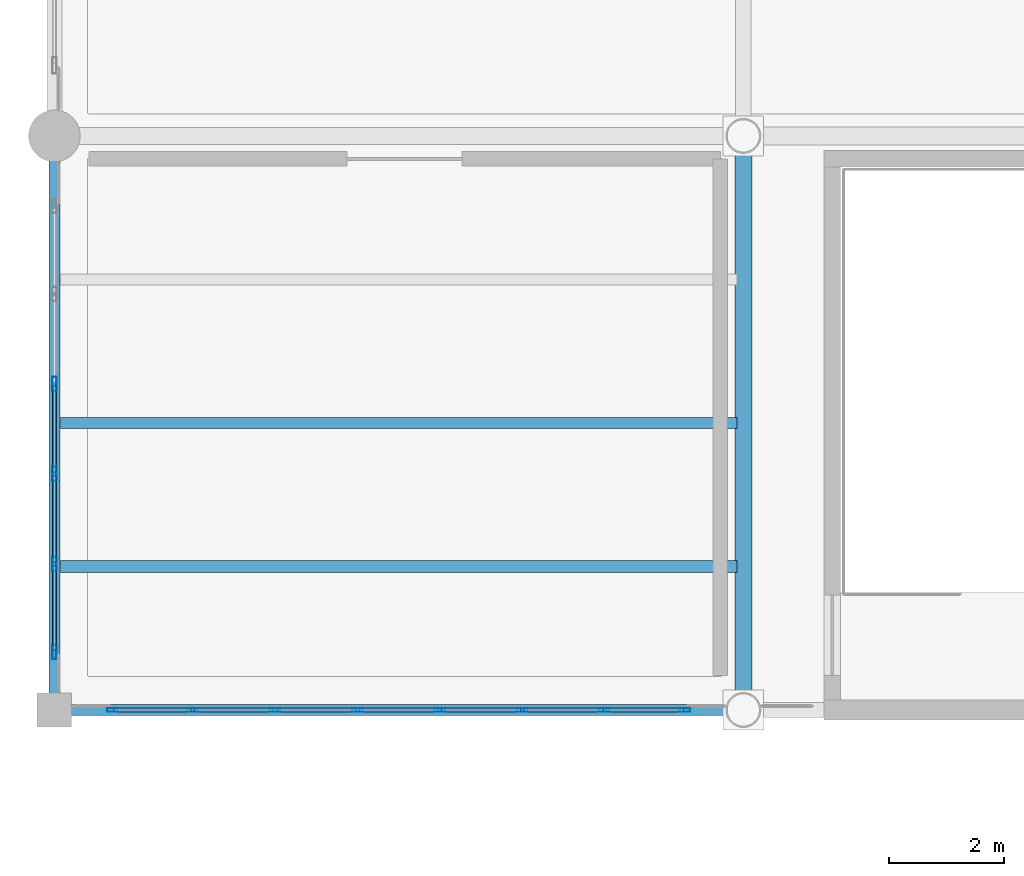
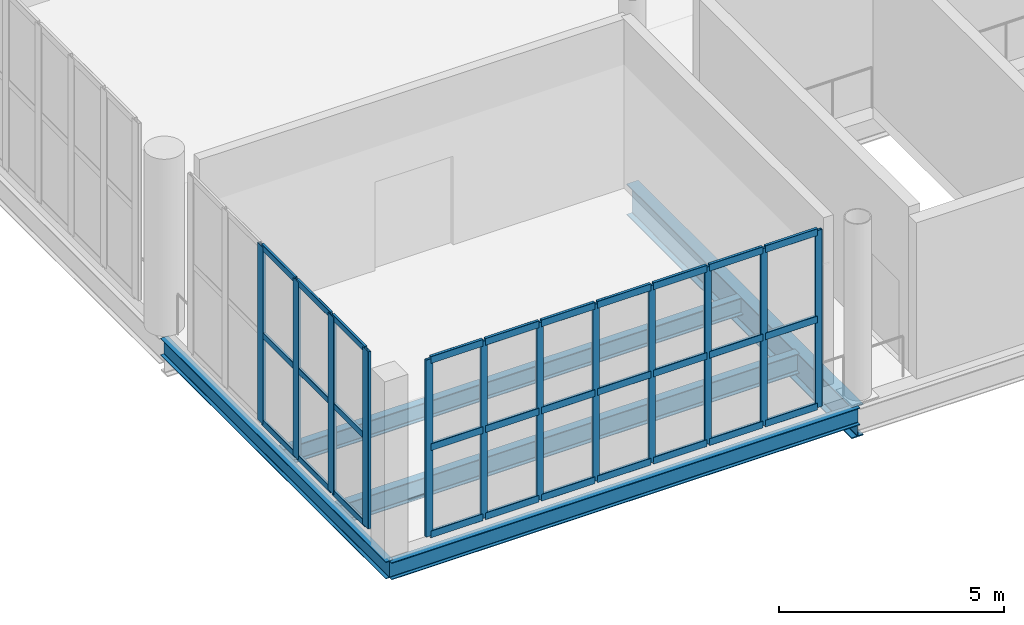
# One storey, part 7 of 49: 42 members, 5 beams, 2 elements without a shape of their own.
"""IFC4 building model written with IfcOpenShell, lengths in metres."""

from ifc_helpers import new_model, si_unit, direction, frame, origin, origin_2d, place, context, subcontext, project, spatial, hollow_rectangle, i_section, extrude, material, layer, layer_set, material_profile, profile_set, type_object, element, aggregate, save


model = new_model("IFC4")

# Units and contexts
model_context = context("Model", 3, precision=1e-05, world=origin(), true_north=direction((0.0, 1.0)))
body_context = subcontext(model_context, "Body", "Model", "MODEL_VIEW")
ifc_project = project(units=[si_unit("LENGTHUNIT", "METRE"), si_unit("AREAUNIT", "SQUARE_METRE"), si_unit("VOLUMEUNIT", "CUBIC_METRE"), si_unit("PLANEANGLEUNIT", "RADIAN"), si_unit("MASSUNIT", "GRAM", prefix="KILO")], contexts=[model_context])

# Site, building, storey
site_placement = place(None, origin())
site = spatial("IfcSite", under=ifc_project, at=site_placement, CompositionType="ELEMENT")
building_placement = place(site_placement, origin())
building = spatial("IfcBuilding", under=site, at=building_placement, Name="Brinegate Civic Arena", CompositionType="ELEMENT")
storey_placement = place(building_placement, frame((0.0, 0.0, 24.60009765625)))
storey = spatial("IfcBuildingStorey", under=building, at=storey_placement, Name="L05", CompositionType="ELEMENT", Elevation=24.60009765625)

# Curtain wall, members
ifc_material_1 = material(Name="Marine grade aluminium", Category="aluminium")
ifc_layer = layer(ifc_material_1, 0.199951171875, Name="Marine grade aluminium")
ifc_layer_set = layer_set([ifc_layer], Name="Marine grade aluminium")
curtain_wall_type = type_object("IfcCurtainWallType", Name="CW-BOWL-GLAZED-01", PredefinedType="USERDEFINED", material=ifc_layer_set)
curtain_wall_1_placement = place(storey_placement, origin())
curtain_wall_1 = element("IfcCurtainWall", 1, at=curtain_wall_1_placement, inside=storey, type_object=curtain_wall_type, Name="Curtain Wall CWA-164", ObjectType="GLAZED CURTAIN WALL", PredefinedType="USERDEFINED")
ifc_material_profile_1 = material_profile(ifc_material_1, hollow_rectangle(XDim=0.06494140625, YDim=0.179931640625, WallThickness=0.0048828125, InnerFilletRadius=0.00390625, OuterFilletRadius=0.008056640625, at=origin_2d()), Name="MUL65X180")
ifc_profile_set_1 = profile_set([ifc_material_profile_1], Name="Marine grade aluminium")
member_type_1 = type_object("IfcMemberType", Name="CW-MULLION-65X180", PredefinedType="MULLION", material=ifc_profile_set_1)
member_1_placement = place(storey_placement, frame((49.006591796875, 10.0, 0.0), z_axis=(0.0, 0.0, 1.0), x_axis=(0.0, 1.0, 0.0)))
member_1 = element("IfcMember", 2, at=member_1_placement, type_object=member_type_1, Name="CWA-164 mullion 1", PredefinedType="MULLION", context=body_context, shape_type="SweptSolid", body=[
    extrude(hollow_rectangle(XDim=0.06494140625, YDim=0.179931640625, WallThickness=0.0048828125, InnerFilletRadius=0.00390625, OuterFilletRadius=0.008056640625, at=origin_2d()), origin(), (0.0, 0.0, 1.0), 4.7998046875),
])
member_2_placement = place(storey_placement, frame((50.408935546875, 10.0, 0.0), z_axis=(0.0, 0.0, 1.0), x_axis=(0.0, 1.0, 0.0)))
member_2 = element("IfcMember", 3, at=member_2_placement, type_object=member_type_1, Name="CWA-164 mullion 2", PredefinedType="MULLION", context=body_context, shape_type="SweptSolid", body=[
    extrude(hollow_rectangle(XDim=0.06494140625, YDim=0.179931640625, WallThickness=0.0048828125, InnerFilletRadius=0.00390625, OuterFilletRadius=0.008056640625, at=origin_2d()), origin(), (0.0, 0.0, 1.0), 4.7998046875),
])
member_3_placement = place(storey_placement, frame((51.843994140625, 10.0, 0.0), z_axis=(0.0, 0.0, 1.0), x_axis=(0.0, 1.0, 0.0)))
member_3 = element("IfcMember", 4, at=member_3_placement, type_object=member_type_1, Name="CWA-164 mullion 3", PredefinedType="MULLION", context=body_context, shape_type="SweptSolid", body=[
    extrude(hollow_rectangle(XDim=0.06494140625, YDim=0.179931640625, WallThickness=0.0048828125, InnerFilletRadius=0.00390625, OuterFilletRadius=0.008056640625, at=origin_2d()), origin(), (0.0, 0.0, 1.0), 4.7998046875),
])
member_4_placement = place(storey_placement, frame((53.279052734375, 10.0, 0.0), z_axis=(0.0, 0.0, 1.0), x_axis=(0.0, 1.0, 0.0)))
member_4 = element("IfcMember", 5, at=member_4_placement, type_object=member_type_1, Name="CWA-164 mullion 4", PredefinedType="MULLION", context=body_context, shape_type="SweptSolid", body=[
    extrude(hollow_rectangle(XDim=0.06494140625, YDim=0.179931640625, WallThickness=0.0048828125, InnerFilletRadius=0.00390625, OuterFilletRadius=0.008056640625, at=origin_2d()), origin(), (0.0, 0.0, 1.0), 4.7998046875),
])
member_5_placement = place(storey_placement, frame((54.714111328125, 10.0, 0.0), z_axis=(0.0, 0.0, 1.0), x_axis=(0.0, 1.0, 0.0)))
member_5 = element("IfcMember", 6, at=member_5_placement, type_object=member_type_1, Name="CWA-164 mullion 5", PredefinedType="MULLION", context=body_context, shape_type="SweptSolid", body=[
    extrude(hollow_rectangle(XDim=0.06494140625, YDim=0.179931640625, WallThickness=0.0048828125, InnerFilletRadius=0.00390625, OuterFilletRadius=0.008056640625, at=origin_2d()), origin(), (0.0, 0.0, 1.0), 4.7998046875),
])
member_6_placement = place(storey_placement, frame((56.14892578125, 10.0, 0.0), z_axis=(0.0, 0.0, 1.0), x_axis=(0.0, 1.0, 0.0)))
member_6 = element("IfcMember", 7, at=member_6_placement, type_object=member_type_1, Name="CWA-164 mullion 6", PredefinedType="MULLION", context=body_context, shape_type="SweptSolid", body=[
    extrude(hollow_rectangle(XDim=0.06494140625, YDim=0.179931640625, WallThickness=0.0048828125, InnerFilletRadius=0.00390625, OuterFilletRadius=0.008056640625, at=origin_2d()), origin(), (0.0, 0.0, 1.0), 4.7998046875),
])
member_7_placement = place(storey_placement, frame((57.583984375, 10.0, 0.0), z_axis=(0.0, 0.0, 1.0), x_axis=(0.0, 1.0, 0.0)))
member_7 = element("IfcMember", 8, at=member_7_placement, type_object=member_type_1, Name="CWA-164 mullion 7", PredefinedType="MULLION", context=body_context, shape_type="SweptSolid", body=[
    extrude(hollow_rectangle(XDim=0.06494140625, YDim=0.179931640625, WallThickness=0.0048828125, InnerFilletRadius=0.00390625, OuterFilletRadius=0.008056640625, at=origin_2d()), origin(), (0.0, 0.0, 1.0), 4.7998046875),
])
member_8_placement = place(storey_placement, frame((58.986572265625, 10.0, 0.0), z_axis=(0.0, 0.0, 1.0), x_axis=(0.0, 1.0, 0.0)))
member_8 = element("IfcMember", 9, at=member_8_placement, type_object=member_type_1, Name="CWA-164 mullion 8", PredefinedType="MULLION", context=body_context, shape_type="SweptSolid", body=[
    extrude(hollow_rectangle(XDim=0.06494140625, YDim=0.179931640625, WallThickness=0.0048828125, InnerFilletRadius=0.00390625, OuterFilletRadius=0.008056640625, at=origin_2d()), origin(), (0.0, 0.0, 1.0), 4.7998046875),
])

curtain_wall_2_placement = place(storey_placement, origin())
curtain_wall_2 = element("IfcCurtainWall", 10, at=curtain_wall_2_placement, inside=storey, type_object=curtain_wall_type, Name="Curtain Wall CWA-154", ObjectType="GLAZED CURTAIN WALL", PredefinedType="USERDEFINED")
ifc_material_profile_2 = material_profile(ifc_material_1, hollow_rectangle(XDim=0.074951171875, YDim=0.25, WallThickness=0.006103515625, InnerFilletRadius=0.00390625, OuterFilletRadius=0.008056640625, at=origin_2d()), Name="MUL75X250")
ifc_profile_set_2 = profile_set([ifc_material_profile_2], Name="Marine grade aluminium")
member_type_2 = type_object("IfcMemberType", Name="CW-MULLION-75X250", PredefinedType="MULLION", material=ifc_profile_set_2)
member_9_placement = place(storey_placement, frame((48.0, 11.011474609375, 0.0), z_axis=(0.0, 0.0, 1.0), x_axis=(-1.0, 0.0, 0.0)))
member_9 = element("IfcMember", 11, at=member_9_placement, type_object=member_type_2, Name="CWA-154 mullion 1", PredefinedType="MULLION", context=body_context, shape_type="SweptSolid", body=[
    extrude(hollow_rectangle(XDim=0.074951171875, YDim=0.25, WallThickness=0.006103515625, InnerFilletRadius=0.00390625, OuterFilletRadius=0.008056640625, at=origin_2d()), origin(), (0.0, 0.0, 1.0), 4.7998046875),
])
member_10_placement = place(storey_placement, frame((48.0, 12.5419921875, 0.0), z_axis=(0.0, 0.0, 1.0), x_axis=(-1.0, 0.0, 0.0)))
member_10 = element("IfcMember", 12, at=member_10_placement, type_object=member_type_2, Name="CWA-154 mullion 2", PredefinedType="MULLION", context=body_context, shape_type="SweptSolid", body=[
    extrude(hollow_rectangle(XDim=0.074951171875, YDim=0.25, WallThickness=0.006103515625, InnerFilletRadius=0.00390625, OuterFilletRadius=0.008056640625, at=origin_2d()), origin(), (0.0, 0.0, 1.0), 4.7998046875),
])
member_11_placement = place(storey_placement, frame((48.0, 14.110107421875, 0.0), z_axis=(0.0, 0.0, 1.0), x_axis=(-1.0, 0.0, 0.0)))
member_11 = element("IfcMember", 13, at=member_11_placement, type_object=member_type_2, Name="CWA-154 mullion 3", PredefinedType="MULLION", context=body_context, shape_type="SweptSolid", body=[
    extrude(hollow_rectangle(XDim=0.074951171875, YDim=0.25, WallThickness=0.006103515625, InnerFilletRadius=0.00390625, OuterFilletRadius=0.008056640625, at=origin_2d()), origin(), (0.0, 0.0, 1.0), 4.7998046875),
])
member_12_placement = place(storey_placement, frame((48.0, 15.677978515625, 0.0), z_axis=(0.0, 0.0, 1.0), x_axis=(-1.0, 0.0, 0.0)))
member_12 = element("IfcMember", 14, at=member_12_placement, type_object=member_type_2, Name="CWA-154 mullion 4", PredefinedType="MULLION", context=body_context, shape_type="SweptSolid", body=[
    extrude(hollow_rectangle(XDim=0.074951171875, YDim=0.25, WallThickness=0.006103515625, InnerFilletRadius=0.00390625, OuterFilletRadius=0.008056640625, at=origin_2d()), origin(), (0.0, 0.0, 1.0), 4.7998046875),
])
ifc_material_profile_3 = material_profile(ifc_material_1, hollow_rectangle(XDim=0.06494140625, YDim=0.1650390625, WallThickness=0.0048828125, InnerFilletRadius=0.00390625, OuterFilletRadius=0.008056640625, at=origin_2d()), Name="TRN65X165")
ifc_profile_set_3 = profile_set([ifc_material_profile_3], Name="Marine grade aluminium")
member_type_3 = type_object("IfcMemberType", Name="CW-TRANSOM-65X165", PredefinedType="USERDEFINED", material=ifc_profile_set_3)
member_13_placement = place(storey_placement, frame((48.0, 11.049072265625, 0.032470703125), z_axis=(0.0, 1.0, 0.0), x_axis=(-1.0, 0.0, 0.0)))
member_13 = element("IfcMember", 15, at=member_13_placement, type_object=member_type_3, Name="CWA-154 transom 1.1", ObjectType="TRANSOM", PredefinedType="USERDEFINED", context=body_context, shape_type="SweptSolid", body=[
    extrude(hollow_rectangle(XDim=0.06494140625, YDim=0.1650390625, WallThickness=0.0048828125, InnerFilletRadius=0.00390625, OuterFilletRadius=0.008056640625, at=origin_2d()), origin(), (0.0, 0.0, 1.0), 1.455322265625),
])
member_14_placement = place(storey_placement, frame((48.0, 11.049072265625, 2.39990234375), z_axis=(0.0, 1.0, 0.0), x_axis=(-1.0, 0.0, 0.0)))
member_14 = element("IfcMember", 16, at=member_14_placement, type_object=member_type_3, Name="CWA-154 transom 1.2", ObjectType="TRANSOM", PredefinedType="USERDEFINED", context=body_context, shape_type="SweptSolid", body=[
    extrude(hollow_rectangle(XDim=0.06494140625, YDim=0.1650390625, WallThickness=0.0048828125, InnerFilletRadius=0.00390625, OuterFilletRadius=0.008056640625, at=origin_2d()), origin(), (0.0, 0.0, 1.0), 1.455322265625),
])
member_15_placement = place(storey_placement, frame((48.0, 11.049072265625, 4.767333984375), z_axis=(0.0, 1.0, 0.0), x_axis=(-1.0, 0.0, 0.0)))
member_15 = element("IfcMember", 17, at=member_15_placement, type_object=member_type_3, Name="CWA-154 transom 1.3", ObjectType="TRANSOM", PredefinedType="USERDEFINED", context=body_context, shape_type="SweptSolid", body=[
    extrude(hollow_rectangle(XDim=0.06494140625, YDim=0.1650390625, WallThickness=0.0048828125, InnerFilletRadius=0.00390625, OuterFilletRadius=0.008056640625, at=origin_2d()), origin(), (0.0, 0.0, 1.0), 1.455322265625),
])
member_16_placement = place(storey_placement, frame((48.0, 12.57958984375, 0.032470703125), z_axis=(0.0, 1.0, 0.0), x_axis=(-1.0, 0.0, 0.0)))
member_16 = element("IfcMember", 18, at=member_16_placement, type_object=member_type_3, Name="CWA-154 transom 2.1", ObjectType="TRANSOM", PredefinedType="USERDEFINED", context=body_context, shape_type="SweptSolid", body=[
    extrude(hollow_rectangle(XDim=0.06494140625, YDim=0.1650390625, WallThickness=0.0048828125, InnerFilletRadius=0.00390625, OuterFilletRadius=0.008056640625, at=origin_2d()), origin(), (0.0, 0.0, 1.0), 1.492919921875),
])
member_17_placement = place(storey_placement, frame((48.0, 12.57958984375, 2.39990234375), z_axis=(0.0, 1.0, 0.0), x_axis=(-1.0, 0.0, 0.0)))
member_17 = element("IfcMember", 19, at=member_17_placement, type_object=member_type_3, Name="CWA-154 transom 2.2", ObjectType="TRANSOM", PredefinedType="USERDEFINED", context=body_context, shape_type="SweptSolid", body=[
    extrude(hollow_rectangle(XDim=0.06494140625, YDim=0.1650390625, WallThickness=0.0048828125, InnerFilletRadius=0.00390625, OuterFilletRadius=0.008056640625, at=origin_2d()), origin(), (0.0, 0.0, 1.0), 1.492919921875),
])
member_18_placement = place(storey_placement, frame((48.0, 12.57958984375, 4.767333984375), z_axis=(0.0, 1.0, 0.0), x_axis=(-1.0, 0.0, 0.0)))
member_18 = element("IfcMember", 20, at=member_18_placement, type_object=member_type_3, Name="CWA-154 transom 2.3", ObjectType="TRANSOM", PredefinedType="USERDEFINED", context=body_context, shape_type="SweptSolid", body=[
    extrude(hollow_rectangle(XDim=0.06494140625, YDim=0.1650390625, WallThickness=0.0048828125, InnerFilletRadius=0.00390625, OuterFilletRadius=0.008056640625, at=origin_2d()), origin(), (0.0, 0.0, 1.0), 1.492919921875),
])
member_19_placement = place(storey_placement, frame((48.0, 14.1474609375, 0.032470703125), z_axis=(0.0, 1.0, 0.0), x_axis=(-1.0, 0.0, 0.0)))
member_19 = element("IfcMember", 21, at=member_19_placement, type_object=member_type_3, Name="CWA-154 transom 3.1", ObjectType="TRANSOM", PredefinedType="USERDEFINED", context=body_context, shape_type="SweptSolid", body=[
    extrude(hollow_rectangle(XDim=0.06494140625, YDim=0.1650390625, WallThickness=0.0048828125, InnerFilletRadius=0.00390625, OuterFilletRadius=0.008056640625, at=origin_2d()), origin(), (0.0, 0.0, 1.0), 1.492919921875),
])
member_20_placement = place(storey_placement, frame((48.0, 14.1474609375, 2.39990234375), z_axis=(0.0, 1.0, 0.0), x_axis=(-1.0, 0.0, 0.0)))
member_20 = element("IfcMember", 22, at=member_20_placement, type_object=member_type_3, Name="CWA-154 transom 3.2", ObjectType="TRANSOM", PredefinedType="USERDEFINED", context=body_context, shape_type="SweptSolid", body=[
    extrude(hollow_rectangle(XDim=0.06494140625, YDim=0.1650390625, WallThickness=0.0048828125, InnerFilletRadius=0.00390625, OuterFilletRadius=0.008056640625, at=origin_2d()), origin(), (0.0, 0.0, 1.0), 1.492919921875),
])
member_21_placement = place(storey_placement, frame((48.0, 14.1474609375, 4.767333984375), z_axis=(0.0, 1.0, 0.0), x_axis=(-1.0, 0.0, 0.0)))
member_21 = element("IfcMember", 23, at=member_21_placement, type_object=member_type_3, Name="CWA-154 transom 3.3", ObjectType="TRANSOM", PredefinedType="USERDEFINED", context=body_context, shape_type="SweptSolid", body=[
    extrude(hollow_rectangle(XDim=0.06494140625, YDim=0.1650390625, WallThickness=0.0048828125, InnerFilletRadius=0.00390625, OuterFilletRadius=0.008056640625, at=origin_2d()), origin(), (0.0, 0.0, 1.0), 1.492919921875),
])
aggregate(curtain_wall_2, [member_9, member_10, member_11, member_12, member_13, member_14, member_15, member_16, member_17, member_18, member_19, member_20, member_21])

# Member
ifc_material_profile_4 = material_profile(ifc_material_1, hollow_rectangle(XDim=0.074951171875, YDim=0.18994140625, WallThickness=0.006103515625, InnerFilletRadius=0.00390625, OuterFilletRadius=0.008056640625, at=origin_2d()), Name="TRN75X190")
ifc_profile_set_4 = profile_set([ifc_material_profile_4], Name="Marine grade aluminium")
member_type_4 = type_object("IfcMemberType", Name="CW-TRANSOM-75X190", PredefinedType="USERDEFINED", material=ifc_profile_set_4)
member_22_placement = place(storey_placement, frame((49.0390625, 10.0, 0.037353515625), z_axis=(1.0, 0.0, 0.0), x_axis=(0.0, 1.0, 0.0)))
member_22 = element("IfcMember", 24, at=member_22_placement, type_object=member_type_4, Name="CWA-164 transom 1.1", ObjectType="TRANSOM", PredefinedType="USERDEFINED", context=body_context, shape_type="SweptSolid", body=[
    extrude(hollow_rectangle(XDim=0.074951171875, YDim=0.18994140625, WallThickness=0.006103515625, InnerFilletRadius=0.00390625, OuterFilletRadius=0.008056640625, at=origin_2d()), origin(), (0.0, 0.0, 1.0), 1.33740234375),
])

member_23_placement = place(storey_placement, frame((49.0390625, 10.0, 2.39990234375), z_axis=(1.0, 0.0, 0.0), x_axis=(0.0, 1.0, 0.0)))
member_23 = element("IfcMember", 25, at=member_23_placement, type_object=member_type_4, Name="CWA-164 transom 1.2", ObjectType="TRANSOM", PredefinedType="USERDEFINED", context=body_context, shape_type="SweptSolid", body=[
    extrude(hollow_rectangle(XDim=0.074951171875, YDim=0.18994140625, WallThickness=0.006103515625, InnerFilletRadius=0.00390625, OuterFilletRadius=0.008056640625, at=origin_2d()), origin(), (0.0, 0.0, 1.0), 1.33740234375),
])

member_24_placement = place(storey_placement, frame((49.0390625, 10.0, 4.762451171875), z_axis=(1.0, 0.0, 0.0), x_axis=(0.0, 1.0, 0.0)))
member_24 = element("IfcMember", 26, at=member_24_placement, type_object=member_type_4, Name="CWA-164 transom 1.3", ObjectType="TRANSOM", PredefinedType="USERDEFINED", context=body_context, shape_type="SweptSolid", body=[
    extrude(hollow_rectangle(XDim=0.074951171875, YDim=0.18994140625, WallThickness=0.006103515625, InnerFilletRadius=0.00390625, OuterFilletRadius=0.008056640625, at=origin_2d()), origin(), (0.0, 0.0, 1.0), 1.33740234375),
])

member_25_placement = place(storey_placement, frame((50.44140625, 10.0, 0.037353515625), z_axis=(1.0, 0.0, 0.0), x_axis=(0.0, 1.0, 0.0)))
member_25 = element("IfcMember", 27, at=member_25_placement, type_object=member_type_4, Name="CWA-164 transom 2.1", ObjectType="TRANSOM", PredefinedType="USERDEFINED", context=body_context, shape_type="SweptSolid", body=[
    extrude(hollow_rectangle(XDim=0.074951171875, YDim=0.18994140625, WallThickness=0.006103515625, InnerFilletRadius=0.00390625, OuterFilletRadius=0.008056640625, at=origin_2d()), origin(), (0.0, 0.0, 1.0), 1.3701171875),
])

member_26_placement = place(storey_placement, frame((50.44140625, 10.0, 2.39990234375), z_axis=(1.0, 0.0, 0.0), x_axis=(0.0, 1.0, 0.0)))
member_26 = element("IfcMember", 28, at=member_26_placement, type_object=member_type_4, Name="CWA-164 transom 2.2", ObjectType="TRANSOM", PredefinedType="USERDEFINED", context=body_context, shape_type="SweptSolid", body=[
    extrude(hollow_rectangle(XDim=0.074951171875, YDim=0.18994140625, WallThickness=0.006103515625, InnerFilletRadius=0.00390625, OuterFilletRadius=0.008056640625, at=origin_2d()), origin(), (0.0, 0.0, 1.0), 1.3701171875),
])

member_27_placement = place(storey_placement, frame((50.44140625, 10.0, 4.762451171875), z_axis=(1.0, 0.0, 0.0), x_axis=(0.0, 1.0, 0.0)))
member_27 = element("IfcMember", 29, at=member_27_placement, type_object=member_type_4, Name="CWA-164 transom 2.3", ObjectType="TRANSOM", PredefinedType="USERDEFINED", context=body_context, shape_type="SweptSolid", body=[
    extrude(hollow_rectangle(XDim=0.074951171875, YDim=0.18994140625, WallThickness=0.006103515625, InnerFilletRadius=0.00390625, OuterFilletRadius=0.008056640625, at=origin_2d()), origin(), (0.0, 0.0, 1.0), 1.3701171875),
])

member_28_placement = place(storey_placement, frame((51.87646484375, 10.0, 0.037353515625), z_axis=(1.0, 0.0, 0.0), x_axis=(0.0, 1.0, 0.0)))
member_28 = element("IfcMember", 30, at=member_28_placement, type_object=member_type_4, Name="CWA-164 transom 3.1", ObjectType="TRANSOM", PredefinedType="USERDEFINED", context=body_context, shape_type="SweptSolid", body=[
    extrude(hollow_rectangle(XDim=0.074951171875, YDim=0.18994140625, WallThickness=0.006103515625, InnerFilletRadius=0.00390625, OuterFilletRadius=0.008056640625, at=origin_2d()), origin(), (0.0, 0.0, 1.0), 1.3701171875),
])

member_29_placement = place(storey_placement, frame((51.87646484375, 10.0, 2.39990234375), z_axis=(1.0, 0.0, 0.0), x_axis=(0.0, 1.0, 0.0)))
member_29 = element("IfcMember", 31, at=member_29_placement, type_object=member_type_4, Name="CWA-164 transom 3.2", ObjectType="TRANSOM", PredefinedType="USERDEFINED", context=body_context, shape_type="SweptSolid", body=[
    extrude(hollow_rectangle(XDim=0.074951171875, YDim=0.18994140625, WallThickness=0.006103515625, InnerFilletRadius=0.00390625, OuterFilletRadius=0.008056640625, at=origin_2d()), origin(), (0.0, 0.0, 1.0), 1.3701171875),
])

member_30_placement = place(storey_placement, frame((51.87646484375, 10.0, 4.762451171875), z_axis=(1.0, 0.0, 0.0), x_axis=(0.0, 1.0, 0.0)))
member_30 = element("IfcMember", 32, at=member_30_placement, type_object=member_type_4, Name="CWA-164 transom 3.3", ObjectType="TRANSOM", PredefinedType="USERDEFINED", context=body_context, shape_type="SweptSolid", body=[
    extrude(hollow_rectangle(XDim=0.074951171875, YDim=0.18994140625, WallThickness=0.006103515625, InnerFilletRadius=0.00390625, OuterFilletRadius=0.008056640625, at=origin_2d()), origin(), (0.0, 0.0, 1.0), 1.3701171875),
])

member_31_placement = place(storey_placement, frame((53.3115234375, 10.0, 0.037353515625), z_axis=(1.0, 0.0, 0.0), x_axis=(0.0, 1.0, 0.0)))
member_31 = element("IfcMember", 33, at=member_31_placement, type_object=member_type_4, Name="CWA-164 transom 4.1", ObjectType="TRANSOM", PredefinedType="USERDEFINED", context=body_context, shape_type="SweptSolid", body=[
    extrude(hollow_rectangle(XDim=0.074951171875, YDim=0.18994140625, WallThickness=0.006103515625, InnerFilletRadius=0.00390625, OuterFilletRadius=0.008056640625, at=origin_2d()), origin(), (0.0, 0.0, 1.0), 1.369873046875),
])

member_32_placement = place(storey_placement, frame((53.3115234375, 10.0, 2.39990234375), z_axis=(1.0, 0.0, 0.0), x_axis=(0.0, 1.0, 0.0)))
member_32 = element("IfcMember", 34, at=member_32_placement, type_object=member_type_4, Name="CWA-164 transom 4.2", ObjectType="TRANSOM", PredefinedType="USERDEFINED", context=body_context, shape_type="SweptSolid", body=[
    extrude(hollow_rectangle(XDim=0.074951171875, YDim=0.18994140625, WallThickness=0.006103515625, InnerFilletRadius=0.00390625, OuterFilletRadius=0.008056640625, at=origin_2d()), origin(), (0.0, 0.0, 1.0), 1.369873046875),
])

member_33_placement = place(storey_placement, frame((53.3115234375, 10.0, 4.762451171875), z_axis=(1.0, 0.0, 0.0), x_axis=(0.0, 1.0, 0.0)))
member_33 = element("IfcMember", 35, at=member_33_placement, type_object=member_type_4, Name="CWA-164 transom 4.3", ObjectType="TRANSOM", PredefinedType="USERDEFINED", context=body_context, shape_type="SweptSolid", body=[
    extrude(hollow_rectangle(XDim=0.074951171875, YDim=0.18994140625, WallThickness=0.006103515625, InnerFilletRadius=0.00390625, OuterFilletRadius=0.008056640625, at=origin_2d()), origin(), (0.0, 0.0, 1.0), 1.369873046875),
])

member_34_placement = place(storey_placement, frame((54.74658203125, 10.0, 0.037353515625), z_axis=(1.0, 0.0, 0.0), x_axis=(0.0, 1.0, 0.0)))
member_34 = element("IfcMember", 36, at=member_34_placement, type_object=member_type_4, Name="CWA-164 transom 5.1", ObjectType="TRANSOM", PredefinedType="USERDEFINED", context=body_context, shape_type="SweptSolid", body=[
    extrude(hollow_rectangle(XDim=0.074951171875, YDim=0.18994140625, WallThickness=0.006103515625, InnerFilletRadius=0.00390625, OuterFilletRadius=0.008056640625, at=origin_2d()), origin(), (0.0, 0.0, 1.0), 1.369873046875),
])

member_35_placement = place(storey_placement, frame((54.74658203125, 10.0, 2.39990234375), z_axis=(1.0, 0.0, 0.0), x_axis=(0.0, 1.0, 0.0)))
member_35 = element("IfcMember", 37, at=member_35_placement, type_object=member_type_4, Name="CWA-164 transom 5.2", ObjectType="TRANSOM", PredefinedType="USERDEFINED", context=body_context, shape_type="SweptSolid", body=[
    extrude(hollow_rectangle(XDim=0.074951171875, YDim=0.18994140625, WallThickness=0.006103515625, InnerFilletRadius=0.00390625, OuterFilletRadius=0.008056640625, at=origin_2d()), origin(), (0.0, 0.0, 1.0), 1.369873046875),
])

member_36_placement = place(storey_placement, frame((54.74658203125, 10.0, 4.762451171875), z_axis=(1.0, 0.0, 0.0), x_axis=(0.0, 1.0, 0.0)))
member_36 = element("IfcMember", 38, at=member_36_placement, type_object=member_type_4, Name="CWA-164 transom 5.3", ObjectType="TRANSOM", PredefinedType="USERDEFINED", context=body_context, shape_type="SweptSolid", body=[
    extrude(hollow_rectangle(XDim=0.074951171875, YDim=0.18994140625, WallThickness=0.006103515625, InnerFilletRadius=0.00390625, OuterFilletRadius=0.008056640625, at=origin_2d()), origin(), (0.0, 0.0, 1.0), 1.369873046875),
])

member_37_placement = place(storey_placement, frame((56.181396484375, 10.0, 0.037353515625), z_axis=(1.0, 0.0, 0.0), x_axis=(0.0, 1.0, 0.0)))
member_37 = element("IfcMember", 39, at=member_37_placement, type_object=member_type_4, Name="CWA-164 transom 6.1", ObjectType="TRANSOM", PredefinedType="USERDEFINED", context=body_context, shape_type="SweptSolid", body=[
    extrude(hollow_rectangle(XDim=0.074951171875, YDim=0.18994140625, WallThickness=0.006103515625, InnerFilletRadius=0.00390625, OuterFilletRadius=0.008056640625, at=origin_2d()), origin(), (0.0, 0.0, 1.0), 1.3701171875),
])

member_38_placement = place(storey_placement, frame((56.181396484375, 10.0, 2.39990234375), z_axis=(1.0, 0.0, 0.0), x_axis=(0.0, 1.0, 0.0)))
member_38 = element("IfcMember", 40, at=member_38_placement, type_object=member_type_4, Name="CWA-164 transom 6.2", ObjectType="TRANSOM", PredefinedType="USERDEFINED", context=body_context, shape_type="SweptSolid", body=[
    extrude(hollow_rectangle(XDim=0.074951171875, YDim=0.18994140625, WallThickness=0.006103515625, InnerFilletRadius=0.00390625, OuterFilletRadius=0.008056640625, at=origin_2d()), origin(), (0.0, 0.0, 1.0), 1.3701171875),
])

member_39_placement = place(storey_placement, frame((56.181396484375, 10.0, 4.762451171875), z_axis=(1.0, 0.0, 0.0), x_axis=(0.0, 1.0, 0.0)))
member_39 = element("IfcMember", 41, at=member_39_placement, type_object=member_type_4, Name="CWA-164 transom 6.3", ObjectType="TRANSOM", PredefinedType="USERDEFINED", context=body_context, shape_type="SweptSolid", body=[
    extrude(hollow_rectangle(XDim=0.074951171875, YDim=0.18994140625, WallThickness=0.006103515625, InnerFilletRadius=0.00390625, OuterFilletRadius=0.008056640625, at=origin_2d()), origin(), (0.0, 0.0, 1.0), 1.3701171875),
])

member_40_placement = place(storey_placement, frame((57.616455078125, 10.0, 0.037353515625), z_axis=(1.0, 0.0, 0.0), x_axis=(0.0, 1.0, 0.0)))
member_40 = element("IfcMember", 42, at=member_40_placement, type_object=member_type_4, Name="CWA-164 transom 7.1", ObjectType="TRANSOM", PredefinedType="USERDEFINED", context=body_context, shape_type="SweptSolid", body=[
    extrude(hollow_rectangle(XDim=0.074951171875, YDim=0.18994140625, WallThickness=0.006103515625, InnerFilletRadius=0.00390625, OuterFilletRadius=0.008056640625, at=origin_2d()), origin(), (0.0, 0.0, 1.0), 1.337646484375),
])

member_41_placement = place(storey_placement, frame((57.616455078125, 10.0, 2.39990234375), z_axis=(1.0, 0.0, 0.0), x_axis=(0.0, 1.0, 0.0)))
member_41 = element("IfcMember", 43, at=member_41_placement, type_object=member_type_4, Name="CWA-164 transom 7.2", ObjectType="TRANSOM", PredefinedType="USERDEFINED", context=body_context, shape_type="SweptSolid", body=[
    extrude(hollow_rectangle(XDim=0.074951171875, YDim=0.18994140625, WallThickness=0.006103515625, InnerFilletRadius=0.00390625, OuterFilletRadius=0.008056640625, at=origin_2d()), origin(), (0.0, 0.0, 1.0), 1.337646484375),
])

member_42_placement = place(storey_placement, frame((57.616455078125, 10.0, 4.762451171875), z_axis=(1.0, 0.0, 0.0), x_axis=(0.0, 1.0, 0.0)))
member_42 = element("IfcMember", 44, at=member_42_placement, type_object=member_type_4, Name="CWA-164 transom 7.3", ObjectType="TRANSOM", PredefinedType="USERDEFINED", context=body_context, shape_type="SweptSolid", body=[
    extrude(hollow_rectangle(XDim=0.074951171875, YDim=0.18994140625, WallThickness=0.006103515625, InnerFilletRadius=0.00390625, OuterFilletRadius=0.008056640625, at=origin_2d()), origin(), (0.0, 0.0, 1.0), 1.337646484375),
])

aggregate(curtain_wall_1, [member_1, member_2, member_3, member_4, member_5, member_6, member_7, member_8, member_22, member_23, member_24, member_25, member_26, member_27, member_28, member_29, member_30, member_31, member_32, member_33, member_34, member_35, member_36, member_37, member_38, member_39, member_40, member_41, member_42])

# Beams
ifc_material_2 = material(Name="Steel S355", Category="steel")
ifc_material_profile_5 = material_profile(ifc_material_2, i_section(OverallWidth=0.2939453125, OverallDepth=0.85107421875, WebThickness=0.01611328125, FlangeThickness=0.027099609375, FilletRadius=0.02197265625, at=origin_2d()), Name="W840X226")
ifc_profile_set_5 = profile_set([ifc_material_profile_5], Name="Steel S355")
beam_type_1 = type_object("IfcBeamType", Name="GIRDER-W840X226", PredefinedType="BEAM", material=ifc_profile_set_5)
beam_1_placement = place(storey_placement, frame((60.0, 10.0, -0.755126953125), z_axis=(0.0, 1.0, 0.0), x_axis=(-1.0, 0.0, 0.0)))
element("IfcBeam", 45, at=beam_1_placement, inside=storey, type_object=beam_type_1, Name="Floor Girder BM-L05-GY-05-01", PredefinedType="BEAM", context=body_context, shape_type="SweptSolid", body=[
    extrude(i_section(OverallWidth=0.2939453125, OverallDepth=0.85107421875, WebThickness=0.01611328125, FlangeThickness=0.027099609375, FilletRadius=0.02197265625, at=origin_2d()), origin(), (0.0, 0.0, 1.0), 10.0),
])
ifc_material_profile_6 = material_profile(ifc_material_2, i_section(OverallWidth=0.195068359375, OverallDepth=0.472900390625, WebThickness=0.011962890625, FlangeThickness=0.02197265625, FilletRadius=0.014892578125, at=origin_2d()), Name="W460X113")
ifc_profile_set_6 = profile_set([ifc_material_profile_6], Name="Steel S355")
beam_type_2 = type_object("IfcBeamType", Name="JOIST-W460X113", PredefinedType="JOIST", material=ifc_profile_set_6)
beam_2_placement = place(storey_placement, frame((48.10595703125, 15.0, -0.566162109375), z_axis=(1.0, 0.0, 0.0), x_axis=(0.0, 1.0, 0.0)))
element("IfcBeam", 46, at=beam_2_placement, inside=storey, type_object=beam_type_2, Name="Secondary Joist BM-L05-JX-04-01-2", PredefinedType="JOIST", context=body_context, shape_type="SweptSolid", body=[
    extrude(i_section(OverallWidth=0.195068359375, OverallDepth=0.472900390625, WebThickness=0.011962890625, FlangeThickness=0.02197265625, FilletRadius=0.014892578125, at=origin_2d()), origin(), (0.0, 0.0, 1.0), 11.7880859375),
])
ifc_material_profile_7 = material_profile(ifc_material_2, i_section(OverallWidth=0.2109375, OverallDepth=0.5390625, WebThickness=0.011962890625, FlangeThickness=0.01904296875, FilletRadius=0.01611328125, at=origin_2d()), Name="W530X109")
ifc_profile_set_7 = profile_set([ifc_material_profile_7], Name="Steel S355")
beam_type_3 = type_object("IfcBeamType", Name="JOIST-W530X109", PredefinedType="JOIST", material=ifc_profile_set_7)
beam_3_placement = place(storey_placement, frame((48.10595703125, 12.5, -0.59912109375), z_axis=(1.0, 0.0, 0.0), x_axis=(0.0, 1.0, 0.0)))
element("IfcBeam", 47, at=beam_3_placement, inside=storey, type_object=beam_type_3, Name="Secondary Joist BM-L05-JX-04-01-1", PredefinedType="JOIST", context=body_context, shape_type="SweptSolid", body=[
    extrude(i_section(OverallWidth=0.2109375, OverallDepth=0.5390625, WebThickness=0.011962890625, FlangeThickness=0.01904296875, FilletRadius=0.01611328125, at=origin_2d()), origin(), (0.0, 0.0, 1.0), 11.7880859375),
])
ifc_material_profile_8 = material_profile(ifc_material_2, i_section(OverallWidth=0.193115234375, OverallDepth=0.466064453125, WebThickness=0.010986328125, FlangeThickness=0.01904296875, FilletRadius=0.014892578125, at=origin_2d()), Name="W460X97")
ifc_profile_set_8 = profile_set([ifc_material_profile_8], Name="Steel S355")
beam_type_4 = type_object("IfcBeamType", Name="SPANDREL-W460X97", PredefinedType="SPANDREL", material=ifc_profile_set_8)
beam_4_placement = place(storey_placement, frame((48.0, 10.0, -0.56298828125), z_axis=(1.0, 0.0, 0.0), x_axis=(0.0, 1.0, 0.0)))
element("IfcBeam", 48, at=beam_4_placement, inside=storey, type_object=beam_type_4, Name="Floor Girder BM-L05-GX-04-01", PredefinedType="SPANDREL", context=body_context, shape_type="SweptSolid", body=[
    extrude(i_section(OverallWidth=0.193115234375, OverallDepth=0.466064453125, WebThickness=0.010986328125, FlangeThickness=0.01904296875, FilletRadius=0.014892578125, at=origin_2d()), origin(), (0.0, 0.0, 1.0), 12.0),
])
beam_5_placement = place(storey_placement, frame((48.0, 10.0, -0.56298828125), z_axis=(0.0, 1.0, 0.0), x_axis=(-1.0, 0.0, 0.0)))
element("IfcBeam", 49, at=beam_5_placement, inside=storey, type_object=beam_type_4, Name="Floor Girder BM-L05-GY-04-01", PredefinedType="SPANDREL", context=body_context, shape_type="SweptSolid", body=[
    extrude(i_section(OverallWidth=0.193115234375, OverallDepth=0.466064453125, WebThickness=0.010986328125, FlangeThickness=0.01904296875, FilletRadius=0.014892578125, at=origin_2d()), origin(), (0.0, 0.0, 1.0), 10.0),
])

save(model, "model.ifc")
